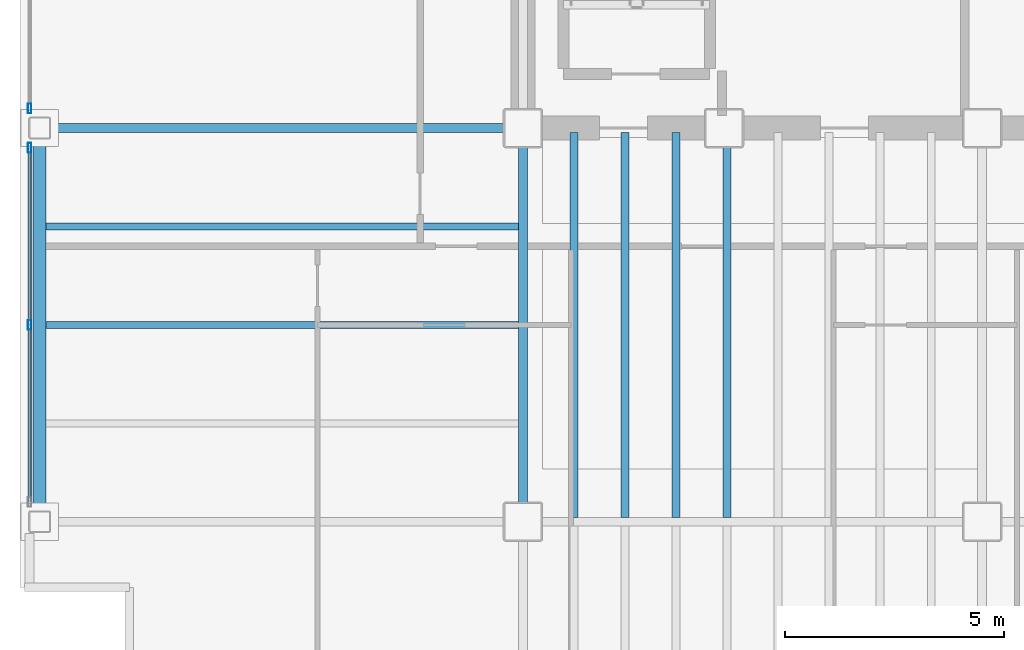
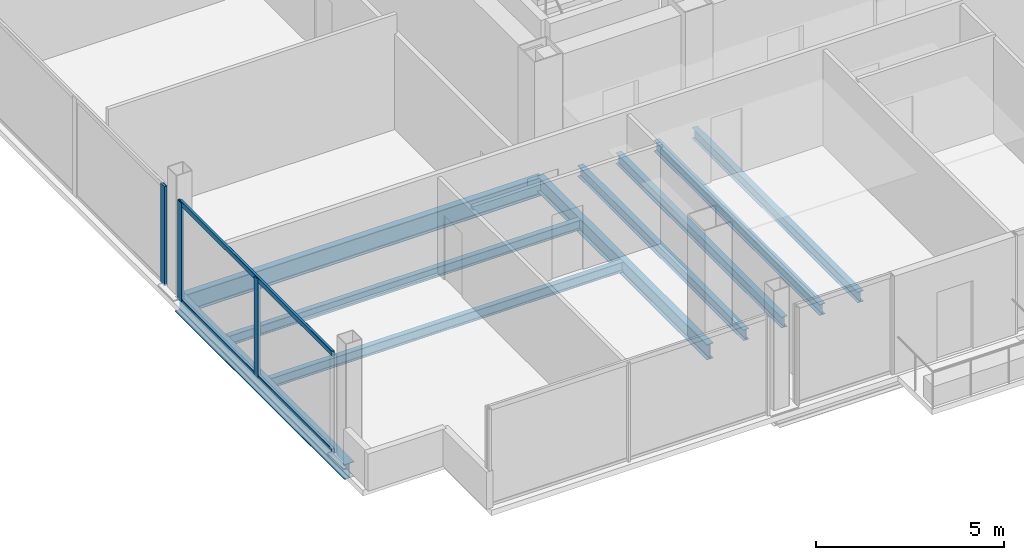
# One storey, part 3 of 19: 9 beams, 5 members, 2 elements without a shape of their own.
"""IFC4 building model written with IfcOpenShell, lengths in metres."""

from ifc_helpers import new_model, si_unit, direction, frame, origin, origin_2d, place, context, subcontext, project, spatial, hollow_rectangle, i_section, extrude, material, material_profile, profile_set, type_object, element, aggregate, save


model = new_model("IFC4")

# Units and contexts
model_context = context("Model", 3, precision=1e-05, world=origin(), true_north=direction((0.0, 1.0)))
body_context = subcontext(model_context, "Body", "Model", "MODEL_VIEW")
ifc_project = project(units=[si_unit("LENGTHUNIT", "METRE"), si_unit("AREAUNIT", "SQUARE_METRE"), si_unit("VOLUMEUNIT", "CUBIC_METRE"), si_unit("PLANEANGLEUNIT", "RADIAN"), si_unit("MASSUNIT", "GRAM", prefix="KILO")], contexts=[model_context])

# Site, building, storey
site_placement = place(None, origin())
site = spatial("IfcSite", under=ifc_project, at=site_placement, CompositionType="ELEMENT")
building_placement = place(site_placement, origin())
building = spatial("IfcBuilding", under=site, at=building_placement, Name="Noeulbin Bourse Tower", CompositionType="ELEMENT")
storey_placement = place(building_placement, frame((0.0, 0.0, 153.89990234375)))
storey = spatial("IfcBuildingStorey", under=building, at=storey_placement, Name="L38", CompositionType="ELEMENT", Elevation=153.89990234375)

# Beams
ifc_material_1 = material(Name="Steel S355", Category="steel")
ifc_material_profile_1 = material_profile(ifc_material_1, i_section(OverallWidth=0.199951171875, OverallDepth=0.5, WebThickness=0.010009765625, FlangeThickness=0.01611328125, FilletRadius=0.02001953125, at=origin_2d()), Name="H-500x200x10x16", Category="LoadBearing")
ifc_profile_set_1 = profile_set([ifc_material_profile_1], Name="Steel S355")
beam_type_1 = type_object("IfcBeamType", Name="BM-GRD-500", PredefinedType="USERDEFINED", material=ifc_profile_set_1)
beam_1_placement = place(storey_placement, frame((13.5, 20.0, -0.429931640625), z_axis=(0.0, 1.0, 0.0), x_axis=(-1.0, 0.0, 0.0)))
element("IfcBeam", 1, at=beam_1_placement, inside=storey, type_object=beam_type_1, Name="Tower Primary Girder NS L38-1.2", ObjectType="GIRDER", PredefinedType="USERDEFINED", context=body_context, shape_type="SweptSolid", body=[
    extrude(i_section(OverallWidth=0.199951171875, OverallDepth=0.5, WebThickness=0.010009765625, FlangeThickness=0.01611328125, FilletRadius=0.02001953125, at=origin_2d()), origin(), (0.0, 0.0, 1.0), 9.0),
])
ifc_material_profile_2 = material_profile(ifc_material_1, i_section(OverallWidth=0.199951171875, OverallDepth=0.60009765625, WebThickness=0.010986328125, FlangeThickness=0.01708984375, FilletRadius=0.02197265625, at=origin_2d()), Name="H-600x200x11x17", Category="LoadBearing")
ifc_profile_set_2 = profile_set([ifc_material_profile_2], Name="Steel S355")
beam_type_2 = type_object("IfcBeamType", Name="BM-GRD-600", PredefinedType="USERDEFINED", material=ifc_profile_set_2)
beam_2_placement = place(storey_placement, frame((2.449951171875, 29.0, -0.47998046875), z_axis=(1.0, 0.0, 0.0), x_axis=(0.0, 1.0, 0.0)))
element("IfcBeam", 2, at=beam_2_placement, inside=storey, type_object=beam_type_2, Name="Tower Primary Girder EW L38-2.1", ObjectType="GIRDER", PredefinedType="USERDEFINED", context=body_context, shape_type="SweptSolid", body=[
    extrude(i_section(OverallWidth=0.199951171875, OverallDepth=0.60009765625, WebThickness=0.010986328125, FlangeThickness=0.01708984375, FilletRadius=0.02197265625, at=origin_2d()), origin(), (0.0, 0.0, 1.0), 11.050048828125),
])
ifc_material_profile_3 = material_profile(ifc_material_1, i_section(OverallWidth=0.159912109375, OverallDepth=0.320068359375, WebThickness=0.006591796875, FlangeThickness=0.010009765625, FilletRadius=0.012939453125, at=origin_2d()), Name="H-320x160x6.5x10", Category="LoadBearing")
ifc_profile_set_3 = profile_set([ifc_material_profile_3], Name="Steel S355")
beam_type_3 = type_object("IfcBeamType", Name="BM-JST-320", PredefinedType="JOIST", material=ifc_profile_set_3)
for number, where, z_axis, x_axis, name in (
    (3, (2.60009765625, 24.5, -0.33984375), (1.0, 0.0, 0.0), (0.0, 1.0, 0.0), "Wing Composite Joist L38-W71"),
    (4, (2.60009765625, 26.75, -0.33984375), (1.0, 0.0, 0.0), (0.0, 1.0, 0.0), "Wing Composite Joist L38-W72"),
):
    element("IfcBeam", number, at=place(storey_placement, frame(where, z_axis=z_axis, x_axis=x_axis)), inside=storey, type_object=beam_type_3, Name=name, PredefinedType="JOIST", context=body_context, shape_type="SweptSolid", body=[
        extrude(i_section(OverallWidth=0.159912109375, OverallDepth=0.320068359375, WebThickness=0.006591796875, FlangeThickness=0.010009765625, FilletRadius=0.012939453125, at=origin_2d()), origin(), (0.0, 0.0, 1.0), 10.7998046875),
    ])
ifc_material_profile_4 = material_profile(ifc_material_1, i_section(OverallWidth=0.175048828125, OverallDepth=0.35009765625, WebThickness=0.007080078125, FlangeThickness=0.010986328125, FilletRadius=0.013916015625, at=origin_2d()), Name="H-350x175x7x11", Category="LoadBearing")
ifc_profile_set_4 = profile_set([ifc_material_profile_4], Name="Steel S355")
beam_type_4 = type_object("IfcBeamType", Name="BM-JST-350", PredefinedType="JOIST", material=ifc_profile_set_4)
for number, where, z_axis, x_axis, name in (
    (5, (14.666748046875, 20.10009765625, -0.35498046875), (0.0, 1.0, 0.0), (-1.0, 0.0, 0.0), "Tower Composite Joist L38-02"),
    (6, (15.833251953125, 20.10009765625, -0.35498046875), (0.0, 1.0, 0.0), (-1.0, 0.0, 0.0), "Tower Composite Joist L38-05"),
    (7, (17.0, 20.10009765625, -0.35498046875), (0.0, 1.0, 0.0), (-1.0, 0.0, 0.0), "Tower Composite Joist L38-08"),
    (8, (18.166748046875, 20.10009765625, -0.35498046875), (0.0, 1.0, 0.0), (-1.0, 0.0, 0.0), "Tower Composite Joist L38-11"),
):
    element("IfcBeam", number, at=place(storey_placement, frame(where, z_axis=z_axis, x_axis=x_axis)), inside=storey, type_object=beam_type_4, Name=name, PredefinedType="JOIST", context=body_context, shape_type="SweptSolid", body=[
        extrude(i_section(OverallWidth=0.175048828125, OverallDepth=0.35009765625, WebThickness=0.007080078125, FlangeThickness=0.010986328125, FilletRadius=0.013916015625, at=origin_2d()), origin(), (0.0, 0.0, 1.0), 8.7998046875),
    ])
ifc_material_profile_5 = material_profile(ifc_material_1, i_section(OverallWidth=0.300048828125, OverallDepth=0.488037109375, WebThickness=0.010986328125, FlangeThickness=0.01806640625, FilletRadius=0.02197265625, at=origin_2d()), Name="H-488x300x11x18", Category="LoadBearing")
ifc_profile_set_5 = profile_set([ifc_material_profile_5], Name="Steel S355")
beam_type_5 = type_object("IfcBeamType", Name="BM-SPN-488", PredefinedType="SPANDREL", material=ifc_profile_set_5)
beam_3_placement = place(storey_placement, frame((2.449951171875, 20.0, -0.423828125), z_axis=(0.0, 1.0, 0.0), x_axis=(-1.0, 0.0, 0.0)))
element("IfcBeam", 9, at=beam_3_placement, inside=storey, type_object=beam_type_5, Name="West Spandrel L38-1", PredefinedType="SPANDREL", context=body_context, shape_type="SweptSolid", body=[
    extrude(i_section(OverallWidth=0.300048828125, OverallDepth=0.488037109375, WebThickness=0.010986328125, FlangeThickness=0.01806640625, FilletRadius=0.02197265625, at=origin_2d()), origin(), (0.0, 0.0, 1.0), 9.0),
])

# Curtain wall, members
ifc_material_2 = material(Name="Dark Tinted Triple Glazing", Category="glass")
curtain_wall_type = type_object("IfcCurtainWallType", Name="CW-SYS-3", PredefinedType="NOTDEFINED", material=ifc_material_2)
curtain_wall_1_placement = place(storey_placement, origin())
curtain_wall_1 = element("IfcCurtainWall", 10, at=curtain_wall_1_placement, inside=storey, type_object=curtain_wall_type, Name="Unitised Curtain Wall CW-L38-W-S1", PredefinedType="NOTDEFINED")
ifc_material_3 = material(Name="Anodised Aluminium 6063-T6", Category="aluminium")
ifc_material_profile_6 = material_profile(ifc_material_3, hollow_rectangle(XDim=0.074951171875, YDim=0.219970703125, WallThickness=0.0048828125, InnerFilletRadius=0.00244140625, OuterFilletRadius=0.0048828125, at=origin_2d()), Name="ALU-MULL-75x220x5", Category="LoadBearing")
ifc_profile_set_6 = profile_set([ifc_material_profile_6], Name="Anodised Aluminium 6063-T6")
member_type_1 = type_object("IfcMemberType", Name="CW-SYS-3-MUL", PredefinedType="MULLION", material=ifc_profile_set_6)
member_1_placement = place(storey_placement, frame((2.219970703125, 24.5, -0.02001953125), z_axis=(0.0, 0.0, 1.0), x_axis=(1.0, 0.0, 0.0)))
member_1 = element("IfcMember", 11, at=member_1_placement, type_object=member_type_1, Name="Curtain Wall Mullion CW-L38-W-S1-M01", PredefinedType="MULLION", context=body_context, shape_type="SweptSolid", body=[
    extrude(hollow_rectangle(XDim=0.074951171875, YDim=0.219970703125, WallThickness=0.0048828125, InnerFilletRadius=0.00244140625, OuterFilletRadius=0.0048828125, at=origin_2d()), origin(), (0.0, 0.0, 1.0), 3.22021484375),
])
member_2_placement = place(storey_placement, frame((2.219970703125, 28.550048828125, -0.02001953125), z_axis=(0.0, 0.0, 1.0), x_axis=(1.0, 0.0, 0.0)))
member_2 = element("IfcMember", 12, at=member_2_placement, type_object=member_type_1, Name="Curtain Wall Mullion CW-L38-W-S1-M02", PredefinedType="MULLION", context=body_context, shape_type="SweptSolid", body=[
    extrude(hollow_rectangle(XDim=0.074951171875, YDim=0.219970703125, WallThickness=0.0048828125, InnerFilletRadius=0.00244140625, OuterFilletRadius=0.0048828125, at=origin_2d()), origin(), (0.0, 0.0, 1.0), 3.22021484375),
])

# Curtain wall, member
curtain_wall_2_placement = place(storey_placement, origin())
curtain_wall_2 = element("IfcCurtainWall", 13, at=curtain_wall_2_placement, inside=storey, type_object=curtain_wall_type, Name="Unitised Curtain Wall CW-L38-W-S2", PredefinedType="NOTDEFINED")
member_3_placement = place(storey_placement, frame((2.219970703125, 29.449951171875, -0.02001953125), z_axis=(0.0, 0.0, 1.0), x_axis=(1.0, 0.0, 0.0)))
member_3 = element("IfcMember", 14, at=member_3_placement, type_object=member_type_1, Name="Curtain Wall Mullion CW-L38-W-S2-M00", PredefinedType="MULLION", context=body_context, shape_type="SweptSolid", body=[
    extrude(hollow_rectangle(XDim=0.074951171875, YDim=0.219970703125, WallThickness=0.0048828125, InnerFilletRadius=0.00244140625, OuterFilletRadius=0.0048828125, at=origin_2d()), origin(), (0.0, 0.0, 1.0), 3.22021484375),
])
aggregate(curtain_wall_2, [member_3])

# Member
ifc_material_profile_7 = material_profile(ifc_material_3, hollow_rectangle(XDim=0.074951171875, YDim=0.159912109375, WallThickness=0.0048828125, InnerFilletRadius=0.00244140625, OuterFilletRadius=0.0048828125, at=origin_2d()), Name="ALU-TRAN-75x160x5", Category="LoadBearing")
ifc_profile_set_7 = profile_set([ifc_material_profile_7], Name="Anodised Aluminium 6063-T6")
member_type_2 = type_object("IfcMemberType", Name="CW-SYS-3-TRN", PredefinedType="USERDEFINED", material=ifc_profile_set_7)
member_4_placement = place(storey_placement, frame((2.219970703125, 20.4599609375, 0.010009765625), z_axis=(0.0, 1.0, 0.0), x_axis=(-1.0, 0.0, 0.0)))
member_4 = element("IfcMember", 15, at=member_4_placement, type_object=member_type_2, Name="Curtain Wall Transom CW-L38-W-S1-T00", ObjectType="TRANSOM", PredefinedType="USERDEFINED", context=body_context, shape_type="SweptSolid", body=[
    extrude(hollow_rectangle(XDim=0.074951171875, YDim=0.159912109375, WallThickness=0.0048828125, InnerFilletRadius=0.00244140625, OuterFilletRadius=0.0048828125, at=origin_2d()), origin(), (0.0, 0.0, 1.0), 8.080078125),
])

member_5_placement = place(storey_placement, frame((2.219970703125, 20.4599609375, 3.170166015625), z_axis=(0.0, 1.0, 0.0), x_axis=(-1.0, 0.0, 0.0)))
member_5 = element("IfcMember", 16, at=member_5_placement, type_object=member_type_2, Name="Curtain Wall Transom CW-L38-W-S1-T01", ObjectType="TRANSOM", PredefinedType="USERDEFINED", context=body_context, shape_type="SweptSolid", body=[
    extrude(hollow_rectangle(XDim=0.074951171875, YDim=0.159912109375, WallThickness=0.0048828125, InnerFilletRadius=0.00244140625, OuterFilletRadius=0.0048828125, at=origin_2d()), origin(), (0.0, 0.0, 1.0), 8.080078125),
])

aggregate(curtain_wall_1, [member_1, member_2, member_4, member_5])

save(model, "model.ifc")
